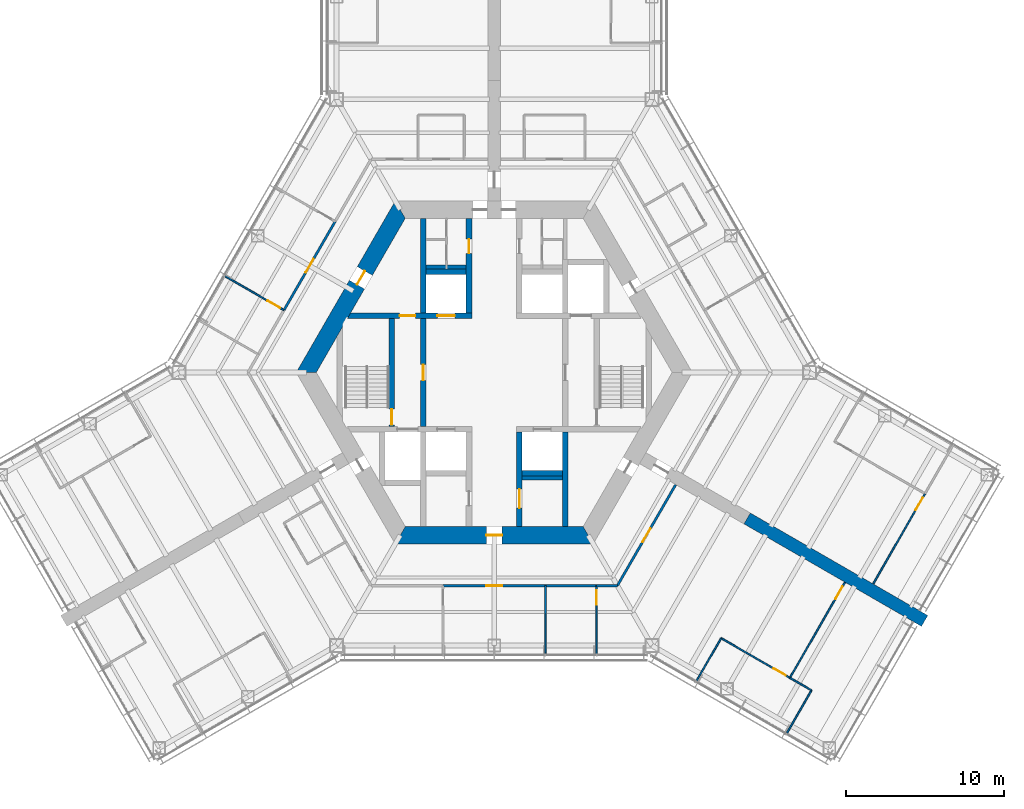
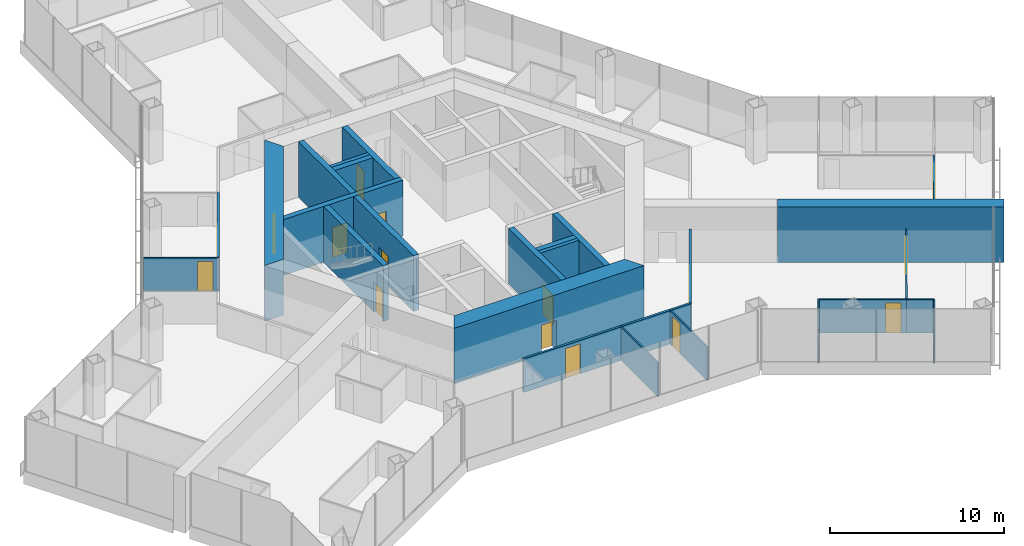
# One storey, part 13 of 18: 28 walls, 16 doors, 16 openings.
"""IFC4 building model written with IfcOpenShell, lengths in metres."""

import ifcopenshell
import ifcopenshell.guid

model = None  # the IFC model being written
_history = None  # IfcOwnerHistory: only IFC2X3 demands one
_inside = {}  # id of a spatial element -> (the spatial element, [elements in it])
_under = {}  # id of a project, library or spatial element -> (it, [spatial elements below it])
_declared = {}  # id of a project -> (the project, [libraries it declares])
_typed = {}  # id of a type object -> (the type object, [elements of that type])
_made_of = {}  # id of a material, layer set ... -> (it, [elements and type objects made of it])


def new_model(schema):
    """Start an empty IFC model of exactly this schema.

    Asked for "IFC4X3", IfcOpenShell would pick the latest addendum, in which some entities
    have other attributes; the version numbers below select the first issue.
    IFC2X3 requires an IfcOwnerHistory on every rooted entity: one is made here for all.
    """
    global model, _history
    if schema == "IFC4X3":
        model = ifcopenshell.file(schema_version=(4, 3, 0, 0))
    else:
        model = ifcopenshell.file(schema=schema)
    _inside.clear()
    _under.clear()
    _declared.clear()
    _typed.clear()
    _made_of.clear()
    _history = None
    if model.schema == "IFC2X3":
        org = make("IfcOrganization", Name="unknown")
        user = make(
            "IfcPersonAndOrganization",
            ThePerson=make("IfcPerson", FamilyName="unknown"),
            TheOrganization=org,
        )
        app = make(
            "IfcApplication",
            ApplicationDeveloper=org,
            Version="unknown",
            ApplicationFullName="unknown",
            ApplicationIdentifier="unknown",
        )
        _history = make(
            "IfcOwnerHistory",
            OwningUser=user,
            OwningApplication=app,
            ChangeAction="ADDED",
            CreationDate=0,
        )
    return model


def make(cls, **values):
    """One entity of the class cls with the attributes given. An attribute that is None is left unset."""
    return model.create_entity(
        cls, **{name: value for name, value in values.items() if value is not None}
    )


def rooted(cls, **values):
    """An entity with a GlobalId (a new one), such as an element, a storey or a relation."""
    return make(cls, GlobalId=ifcopenshell.guid.new(), OwnerHistory=_history, **values)


def si_unit(unit_type, name, prefix=None):
    """IfcSIUnit, for example si_unit("LENGTHUNIT", "METRE", prefix="MILLI")."""
    return make("IfcSIUnit", UnitType=unit_type, Prefix=prefix, Name=name)


def assignment(units):
    """IfcUnitAssignment: the units of a project."""
    return None if units is None else make("IfcUnitAssignment", Units=units)


def point(xyz):
    """IfcCartesianPoint."""
    return None if xyz is None else make("IfcCartesianPoint", Coordinates=xyz)


def direction(xyz):
    """IfcDirection."""
    return None if xyz is None else make("IfcDirection", DirectionRatios=xyz)


def frame(location, z_axis=None, x_axis=None):
    """IfcAxis2Placement3D, a coordinate frame: its origin and axes. An axis left out is left unset."""
    return make(
        "IfcAxis2Placement3D",
        Location=point(location),
        Axis=direction(z_axis),
        RefDirection=direction(x_axis),
    )


def frame_2d(location, x_axis=None):
    """IfcAxis2Placement2D, a coordinate frame in the plane: its origin and x axis."""
    return make(
        "IfcAxis2Placement2D", Location=point(location), RefDirection=direction(x_axis)
    )


def origin():
    """The frame at (0, 0, 0) with its axes left unset."""
    return frame((0.0, 0.0, 0.0))


def place(relative_to, where):
    """IfcLocalPlacement: puts the frame where relative to a parent placement (None: the world)."""
    return make(
        "IfcLocalPlacement", PlacementRelTo=relative_to, RelativePlacement=where
    )


def context(
    kind, dimensions, precision=None, world=None, true_north=None, identifier=None
):
    """IfcGeometricRepresentationContext, for example the 3D "Model" context."""
    return make(
        "IfcGeometricRepresentationContext",
        ContextIdentifier=identifier,
        ContextType=kind,
        CoordinateSpaceDimension=dimensions,
        Precision=precision,
        WorldCoordinateSystem=world,
        TrueNorth=true_north,
    )


def subcontext(parent, identifier, kind, view, scale=None):
    """IfcGeometricRepresentationSubContext, for example "Body" below "Model"."""
    return make(
        "IfcGeometricRepresentationSubContext",
        ContextIdentifier=identifier,
        ContextType=kind,
        ParentContext=parent,
        TargetScale=scale,
        TargetView=view,
    )


def project(units=None, contexts=None):
    """IfcProject with its units and contexts."""
    return rooted(
        "IfcProject",
        Name="project",
        RepresentationContexts=contexts,
        UnitsInContext=assignment(units),
    )


def spatial(cls, under=None, at=None, **own):
    """A site, building, storey or space (cls), placed at a placement, below another one or the project."""
    s = rooted(cls, ObjectPlacement=at, **own)
    if under is not None:
        _under.setdefault(under.id(), (under, []))[1].append(s)
    return s


def polyline(points):
    """IfcPolyline through the points."""
    return make("IfcPolyline", Points=[point(p) for p in points])


def profile(cls, at=None, kind="AREA", **sizes):
    """A parametric profile (cls). Its sizes go by their IFC names, for example OverallWidth=200.0."""
    return make(cls, ProfileType=kind, Position=at, **sizes)


def rectangle(**sizes):
    """IfcRectangleProfileDef."""
    return profile("IfcRectangleProfileDef", **sizes)


def outline(outer, holes=None, kind="AREA"):
    """IfcArbitraryClosedProfileDef: a profile drawn as a closed curve; with holes, ...WithVoids."""
    if holes is None:
        return make("IfcArbitraryClosedProfileDef", ProfileType=kind, OuterCurve=outer)
    return make(
        "IfcArbitraryProfileDefWithVoids",
        ProfileType=kind,
        OuterCurve=outer,
        InnerCurves=holes,
    )


def extrude(swept, where, along, depth):
    """IfcExtrudedAreaSolid: the profile swept, set in the frame where, extruded along a direction by depth."""
    return make(
        "IfcExtrudedAreaSolid",
        SweptArea=swept,
        Position=where,
        ExtrudedDirection=direction(along),
        Depth=depth,
    )


def shape(context_of_items, identifier, shape_type, items):
    """IfcShapeRepresentation: the items that make up one representation, for example the "Body"."""
    return make(
        "IfcShapeRepresentation",
        ContextOfItems=context_of_items,
        RepresentationIdentifier=identifier,
        RepresentationType=shape_type,
        Items=items,
    )


def material(Name=None, Category=None):
    """IfcMaterial."""
    return make("IfcMaterial", Name=Name, Category=Category)


def layer(
    of_material, thickness, ventilated=None, Name=None, Category=None, Priority=None
):
    """IfcMaterialLayer: one layer of a wall or slab, of a material (None: an air gap)."""
    return make(
        "IfcMaterialLayer",
        Material=of_material,
        LayerThickness=thickness,
        IsVentilated=ventilated,
        Name=Name,
        Category=Category,
        Priority=Priority,
    )


def layer_set(layers, Name=None):
    """IfcMaterialLayerSet."""
    return make("IfcMaterialLayerSet", MaterialLayers=layers, LayerSetName=Name)


def made_of(thing, what):
    """Note that an element or type object is made of a material, layer set ...; save() writes the relation."""
    if what is not None:
        _made_of.setdefault(what.id(), (what, []))[1].append(thing)
    return thing


def type_object(cls, material=None, **own):
    """A type object (cls), such as IfcWallType, which elements share."""
    return made_of(rooted(cls, **own), material)


def element(
    cls,
    number,
    at=None,
    inside=None,
    cuts=None,
    type_object=None,
    material=None,
    context=None,
    identifier="Body",
    shape_type=None,
    held_by="IfcProductDefinitionShape",
    body=None,
    shapes=None,
    **own,
):
    """One element of the class cls, such as IfcWall. Its Tag is "e" and its number.

    at: its placement. inside: the storey or other place that contains it. cuts: it is an
    opening in that element (IfcRelVoidsElement). A single representation is given by context,
    identifier, shape_type and body (its items); several are given by shapes. held_by: the class
    of the entity that holds the representations. save() writes the other relations.
    """
    e = rooted(cls, Tag="e%d" % number, ObjectPlacement=at, **own)
    if body is not None:
        shapes = [shape(context, identifier, shape_type, body)]
    if shapes is not None:
        e.Representation = make(held_by, Representations=shapes)
    if inside is not None:
        _inside.setdefault(inside.id(), (inside, []))[1].append(e)
    if cuts is not None:
        rooted(
            "IfcRelVoidsElement", RelatingBuildingElement=cuts, RelatedOpeningElement=e
        )
    if type_object is not None:
        _typed.setdefault(type_object.id(), (type_object, []))[1].append(e)
    return made_of(e, material)


def fill(opening, filler):
    """IfcRelFillsElement: the door or window that sits in an opening."""
    return rooted(
        "IfcRelFillsElement",
        RelatingOpeningElement=opening,
        RelatedBuildingElement=filler,
    )


def aggregate(whole, parts):
    """IfcRelAggregates: a whole, such as a stair, and the parts it consists of."""
    return rooted("IfcRelAggregates", RelatingObject=whole, RelatedObjects=parts)


def save(model, path):
    """Write the relations noted so far, then the file.

    IfcRelAggregates (storeys below a building ...), IfcRelContainedInSpatialStructure (elements
    in a storey), IfcRelDefinesByType, IfcRelAssociatesMaterial and IfcRelDeclares: one each for
    every whole, place, type object, material and project.
    """
    for whole, parts in _under.values():
        aggregate(whole, parts)
    for where, things in _inside.values():
        rooted(
            "IfcRelContainedInSpatialStructure",
            RelatedElements=things,
            RelatingStructure=where,
        )
    for kind, things in _typed.values():
        rooted("IfcRelDefinesByType", RelatedObjects=things, RelatingType=kind)
    for what, things in _made_of.values():
        rooted("IfcRelAssociatesMaterial", RelatedObjects=things, RelatingMaterial=what)
    for by, libraries in _declared.values():
        rooted("IfcRelDeclares", RelatingContext=by, RelatedDefinitions=libraries)
    model.write(path)


model = new_model("IFC4")

# Units and contexts
model_context = context("Model", 3, precision=1e-05, world=origin(), true_north=direction((0.0, 1.0)))
body_context = subcontext(model_context, "Body", "Model", "MODEL_VIEW")
ifc_project = project(units=[si_unit("LENGTHUNIT", "METRE"), si_unit("AREAUNIT", "SQUARE_METRE"), si_unit("VOLUMEUNIT", "CUBIC_METRE"), si_unit("PLANEANGLEUNIT", "RADIAN"), si_unit("MASSUNIT", "GRAM", prefix="KILO")], contexts=[model_context])

# Site, building, storey
site_placement = place(None, origin())
site = spatial("IfcSite", under=ifc_project, at=site_placement, CompositionType="ELEMENT")
building_placement = place(site_placement, origin())
building = spatial("IfcBuilding", under=site, at=building_placement, Name="Kasaneha Research Tower", CompositionType="ELEMENT")
storey_placement = place(building_placement, frame((0.0, 0.0, 119.699951171875)))
storey = spatial("IfcBuildingStorey", under=building, at=storey_placement, Name="L30", CompositionType="ELEMENT", Elevation=119.699951171875)

# Wall, openings, doors
ifc_material_1 = material(Name="Concrete Fc80", Category="concrete")
ifc_layer_1 = layer(ifc_material_1, 0.35009765625)
ifc_layer_set_1 = layer_set([ifc_layer_1], Name="Core internal wall 350 Fc80")
wall_type_1 = type_object("IfcWallType", Name="Core internal wall 350 Fc80", PredefinedType="SHEAR", material=ifc_layer_set_1)
wall_1_placement = place(storey_placement, frame((-9.208740234375, 3.60009765625, 0.0), z_axis=(0.0, 0.0, 1.0), x_axis=(1.0, 0.0, 0.0)))
wall_1 = element("IfcWall", 1, at=wall_1_placement, inside=storey, type_object=wall_type_1, Name="Core wall W1W L30", PredefinedType="SHEAR", context=body_context, shape_type="SweptSolid", body=[
    extrude(outline(polyline([(-0.10107421875, -0.175048828125), (3.208740234375, -0.175048828125), (4.208740234375, -0.175048828125), (5.608642578125, -0.175048828125), (6.708740234375, -0.175048828125), (7.78369140625, -0.175048828125), (7.78369140625, 0.175048828125), (6.708740234375, 0.175048828125), (5.608642578125, 0.175048828125), (4.208740234375, 0.175048828125), (3.208740234375, 0.175048828125), (0.10107421875, 0.175048828125), (-0.10107421875, -0.175048828125)])), origin(), (0.0, 0.0, 1.0), 3.900146484375),
])
opening_1_placement = place(wall_1_placement, frame((3.208740234375, 0.0, 0.0)))
opening_1 = element("IfcOpeningElement", 2, at=opening_1_placement, cuts=wall_1, Name="Opening L30-D12", PredefinedType="OPENING", context=body_context, shape_type="SweptSolid", body=[
    extrude(rectangle(XDim=1.0, YDim=2.10009765625, at=frame_2d((0.5, 1.050048828125))), frame((0.0, 0.18505859375, 0.0), z_axis=(0.0, -1.0, 0.0), x_axis=(1.0, 0.0, 0.0)), (0.0, 0.0, 1.0), 0.3701171875),
])
opening_2_placement = place(wall_1_placement, frame((5.608642578125, 0.0, 0.0)))
opening_2 = element("IfcOpeningElement", 3, at=opening_2_placement, cuts=wall_1, Name="Opening LD-LO1-L30", PredefinedType="OPENING", context=body_context, shape_type="SweptSolid", body=[
    extrude(rectangle(XDim=1.10009765625, YDim=2.10009765625, at=frame_2d((0.550048828125, 1.050048828125))), frame((0.0, 0.18505859375, 0.0), z_axis=(0.0, -1.0, 0.0), x_axis=(1.0, 0.0, 0.0)), (0.0, 0.0, 1.0), 0.3701171875),
])
ifc_material_2 = material(Name="Steel", Category="steel")
door_type_1 = type_object("IfcDoorType", Name="Lift landing door 1100x2100", OperationType="DOUBLE_DOOR_SLIDING", PredefinedType="DOOR", material=ifc_material_2)
door_1_placement = place(opening_2_placement, origin())
door_1 = element("IfcDoor", 4, at=door_1_placement, inside=storey, type_object=door_type_1, Name="Landing door LO1 LD-LO1-L30", OperationType="DOUBLE_DOOR_SLIDING", OverallHeight=2.10009765625, OverallWidth=1.10009765625, PredefinedType="DOOR", context=body_context, shape_type="SweptSolid", body=[
    extrude(rectangle(XDim=1.10009765625, YDim=2.10009765625, at=frame_2d((0.550048828125, 1.050048828125))), frame((0.0, 0.02490234375, 0.0), z_axis=(0.0, -1.0, 0.0), x_axis=(1.0, 0.0, 0.0)), (0.0, 0.0, 1.0), 0.050048828125),
])
fill(opening_2, door_1)
ifc_material_3 = material(Name="Steel", Category="steel")
door_type_2 = type_object("IfcDoorType", Name="Specified fire door FD60 1000x2100", OperationType="NOTDEFINED", PredefinedType="DOOR", material=ifc_material_3)
door_2_placement = place(opening_1_placement, origin())
door_2 = element("IfcDoor", 5, at=door_2_placement, inside=storey, type_object=door_type_2, Name="Vestibule to lobby door L30-D12", OperationType="SINGLE_SWING_RIGHT", OverallHeight=2.10009765625, OverallWidth=1.0, PredefinedType="DOOR", context=body_context, shape_type="SweptSolid", body=[
    extrude(rectangle(XDim=1.0, YDim=2.10009765625, at=frame_2d((0.5, 1.050048828125))), frame((0.0, 0.02490234375, 0.0), z_axis=(0.0, -1.0, 0.0), x_axis=(1.0, 0.0, 0.0)), (0.0, 0.0, 1.0), 0.050048828125),
])
fill(opening_1, door_2)

# Wall, opening, door
wall_2_placement = place(storey_placement, frame((-1.60009765625, 3.77490234375, 0.0), z_axis=(0.0, 0.0, 1.0), x_axis=(0.0, 1.0, 0.0)))
wall_2 = element("IfcWall", 6, at=wall_2_placement, inside=storey, type_object=wall_type_1, Name="Core wall CNW L30", PredefinedType="SHEAR", context=body_context, shape_type="SweptSolid", body=[
    extrude(rectangle(XDim=6.0, YDim=0.35009765625, at=frame_2d((3.0, 0.0))), origin(), (0.0, 0.0, 1.0), 3.900146484375),
])
opening_3_placement = place(wall_2_placement, frame((3.77490234375, 0.0, 0.0)))
opening_3 = element("IfcOpeningElement", 7, at=opening_3_placement, cuts=wall_2, Name="Opening L30-D13", PredefinedType="OPENING", context=body_context, shape_type="SweptSolid", body=[
    extrude(rectangle(XDim=0.89990234375, YDim=2.10009765625, at=frame_2d((0.449951171875, 1.050048828125))), frame((0.0, 0.18505859375, 0.0), z_axis=(0.0, -1.0, 0.0), x_axis=(1.0, 0.0, 0.0)), (0.0, 0.0, 1.0), 0.3701171875),
])
ifc_material_4 = material(Name="Steel", Category="steel")
door_type_3 = type_object("IfcDoorType", Name="Toilet door FD20 900x2100", OperationType="NOTDEFINED", PredefinedType="DOOR", material=ifc_material_4)
door_3_placement = place(opening_3_placement, origin())
door_3 = element("IfcDoor", 8, at=door_3_placement, inside=storey, type_object=door_type_3, Name="Men's WC door L30-D13", OperationType="SINGLE_SWING_LEFT", OverallHeight=2.10009765625, OverallWidth=0.89990234375, PredefinedType="DOOR", context=body_context, shape_type="SweptSolid", body=[
    extrude(rectangle(XDim=0.89990234375, YDim=2.10009765625, at=frame_2d((0.449951171875, 1.050048828125))), frame((0.0, 0.02490234375, 0.0), z_axis=(0.0, -1.0, 0.0), x_axis=(1.0, 0.0, 0.0)), (0.0, 0.0, 1.0), 0.050048828125),
])
fill(opening_3, door_3)

wall_3_placement = place(storey_placement, frame((1.60009765625, -3.77490234375, 0.0), z_axis=(0.0, 0.0, 1.0), x_axis=(0.0, -1.0, 0.0)))
wall_3 = element("IfcWall", 9, at=wall_3_placement, inside=storey, type_object=wall_type_1, Name="Core wall CSE L30", PredefinedType="SHEAR", context=body_context, shape_type="SweptSolid", body=[
    extrude(rectangle(XDim=6.0, YDim=0.35009765625, at=frame_2d((3.0, 0.0))), origin(), (0.0, 0.0, 1.0), 3.900146484375),
])
opening_4_placement = place(wall_3_placement, frame((3.625, 0.0, 0.0)))
opening_4 = element("IfcOpeningElement", 10, at=opening_4_placement, cuts=wall_3, Name="Opening L30-D15", PredefinedType="OPENING", context=body_context, shape_type="SweptSolid", body=[
    extrude(rectangle(XDim=1.199951171875, YDim=2.10009765625, at=frame_2d((0.60009765625, 1.050048828125))), frame((0.0, 0.18505859375, 0.0), z_axis=(0.0, -1.0, 0.0), x_axis=(1.0, 0.0, 0.0)), (0.0, 0.0, 1.0), 0.3701171875),
])
ifc_material_5 = material(Name="Steel", Category="steel")
door_type_4 = type_object("IfcDoorType", Name="Accessible toilet sliding door FD20 1200x2100", OperationType="SLIDING_TO_LEFT", PredefinedType="DOOR", material=ifc_material_5)
door_4_placement = place(opening_4_placement, origin())
door_4 = element("IfcDoor", 11, at=door_4_placement, inside=storey, type_object=door_type_4, Name="Accessible WC door L30-D15", OperationType="SLIDING_TO_LEFT", OverallHeight=2.10009765625, OverallWidth=1.199951171875, PredefinedType="DOOR", context=body_context, shape_type="SweptSolid", body=[
    extrude(rectangle(XDim=1.199951171875, YDim=2.10009765625, at=frame_2d((0.60009765625, 1.050048828125))), frame((0.0, 0.02490234375, 0.0), z_axis=(0.0, -1.0, 0.0), x_axis=(1.0, 0.0, 0.0)), (0.0, 0.0, 1.0), 0.050048828125),
])
fill(opening_4, door_4)

wall_4_placement = place(storey_placement, frame((-4.5, -3.425048828125, 0.0), z_axis=(0.0, 0.0, 1.0), x_axis=(0.0, 1.0, 0.0)))
wall_4 = element("IfcWall", 12, at=wall_4_placement, inside=storey, type_object=wall_type_1, Name="Core wall LBW L30", PredefinedType="SHEAR", context=body_context, shape_type="SweptSolid", body=[
    extrude(rectangle(XDim=6.85009765625, YDim=0.35009765625, at=frame_2d((3.425048828125, 0.0))), origin(), (0.0, 0.0, 1.0), 3.900146484375),
])
opening_5_placement = place(wall_4_placement, frame((2.925048828125, 0.0, 0.0)))
opening_5 = element("IfcOpeningElement", 13, at=opening_5_placement, cuts=wall_4, Name="Opening L30-D09", PredefinedType="OPENING", context=body_context, shape_type="SweptSolid", body=[
    extrude(rectangle(XDim=1.0, YDim=2.10009765625, at=frame_2d((0.5, 1.050048828125))), frame((0.0, 0.18505859375, 0.0), z_axis=(0.0, -1.0, 0.0), x_axis=(1.0, 0.0, 0.0)), (0.0, 0.0, 1.0), 0.3701171875),
])
door_5_placement = place(opening_5_placement, origin())
door_5 = element("IfcDoor", 14, at=door_5_placement, inside=storey, type_object=door_type_2, Name="Lift lobby door west L30-D09", OperationType="SINGLE_SWING_LEFT", OverallHeight=2.10009765625, OverallWidth=1.0, PredefinedType="DOOR", context=body_context, shape_type="SweptSolid", body=[
    extrude(rectangle(XDim=1.0, YDim=2.10009765625, at=frame_2d((0.5, 1.050048828125))), frame((0.0, 0.02490234375, 0.0), z_axis=(0.0, -1.0, 0.0), x_axis=(1.0, 0.0, 0.0)), (0.0, 0.0, 1.0), 0.050048828125),
])
fill(opening_5, door_5)

wall_5_placement = place(storey_placement, frame((-6.5, -3.425048828125, 0.0), z_axis=(0.0, 0.0, 1.0), x_axis=(0.0, 1.0, 0.0)))
wall_5 = element("IfcWall", 15, at=wall_5_placement, inside=storey, type_object=wall_type_1, Name="Core wall ANW L30", PredefinedType="SHEAR", context=body_context, shape_type="SweptSolid", body=[
    extrude(rectangle(XDim=6.85009765625, YDim=0.35009765625, at=frame_2d((3.425048828125, 0.0))), origin(), (0.0, 0.0, 1.0), 3.900146484375),
])
opening_6_placement = place(wall_5_placement, frame((0.10009765625, 0.0, 0.0)))
opening_6 = element("IfcOpeningElement", 16, at=opening_6_placement, cuts=wall_5, Name="Opening L30-D11", PredefinedType="OPENING", context=body_context, shape_type="SweptSolid", body=[
    extrude(rectangle(XDim=1.0, YDim=2.10009765625, at=frame_2d((0.5, 1.050048828125))), frame((0.0, 0.18505859375, 0.0), z_axis=(0.0, -1.0, 0.0), x_axis=(1.0, 0.0, 0.0)), (0.0, 0.0, 1.0), 0.3701171875),
])
door_6_placement = place(opening_6_placement, origin())
door_6 = element("IfcDoor", 17, at=door_6_placement, inside=storey, type_object=door_type_2, Name="Stair 2 door L30-D11", OperationType="SINGLE_SWING_LEFT", OverallHeight=2.10009765625, OverallWidth=1.0, PredefinedType="DOOR", context=body_context, shape_type="SweptSolid", body=[
    extrude(rectangle(XDim=1.0, YDim=2.10009765625, at=frame_2d((0.5, 1.050048828125))), frame((0.0, 0.02490234375, 0.0), z_axis=(0.0, -1.0, 0.0), x_axis=(1.0, 0.0, 0.0)), (0.0, 0.0, 1.0), 0.050048828125),
])
fill(opening_6, door_6)

# Walls
for number, where, z_axis, x_axis, name in (
    (18, (-4.5, 3.77490234375, 0.0), (0.0, 0.0, 1.0), (0.0, 1.0, 0.0), "Core wall VNW L30"),
    (19, (4.5, -3.77490234375, 0.0), (0.0, 0.0, 1.0), (0.0, -1.0, 0.0), "Core wall SSE L30"),
):
    element("IfcWall", number, at=place(storey_placement, frame(where, z_axis=z_axis, x_axis=x_axis)), inside=storey, type_object=wall_type_1, Name=name, PredefinedType="SHEAR", context=body_context, shape_type="SweptSolid", body=[
        extrude(rectangle(XDim=6.0, YDim=0.35009765625, at=frame_2d((3.0, 0.0))), origin(), (0.0, 0.0, 1.0), 3.900146484375),
    ])
for number, where, z_axis, x_axis, name in (
    (20, (-4.324951171875, 6.39990234375, 0.0), (0.0, 0.0, 1.0), (1.0, 0.0, 0.0), "Core wall N1N L30"),
    (21, (1.77490234375, -6.39990234375, 0.0), (0.0, 0.0, 1.0), (1.0, 0.0, 0.0), "Core wall S3S L30"),
):
    element("IfcWall", number, at=place(storey_placement, frame(where, z_axis=z_axis, x_axis=x_axis)), inside=storey, type_object=wall_type_1, Name=name, PredefinedType="SHEAR", context=body_context, shape_type="SweptSolid", body=[
        extrude(rectangle(XDim=2.550048828125, YDim=0.35009765625, at=frame_2d((1.27490234375, 0.0))), origin(), (0.0, 0.0, 1.0), 3.900146484375),
    ])

# Wall, opening, door
ifc_material_6 = material(Name="Concrete Fc80", Category="concrete")
ifc_layer_2 = layer(ifc_material_6, 1.10009765625)
ifc_layer_set_2 = layer_set([ifc_layer_2], Name="Core wall 1100 Fc80")
wall_type_2 = type_object("IfcWallType", Name="Core wall 1100 Fc80", PredefinedType="SHEAR", material=ifc_layer_set_2)
wall_6_placement = place(storey_placement, frame((-5.961181640625, 10.324951171875, 0.0), z_axis=(0.0, 0.0, 1.0), x_axis=(-0.500004296715, -0.866022923061, 0.0)))
wall_6 = element("IfcWall", 22, at=wall_6_placement, inside=storey, type_object=wall_type_2, Name="Core wall 150 L30", PredefinedType="SHEAR", context=body_context, shape_type="SweptSolid", body=[
    extrude(outline(polyline([(-0.317626953125, -0.550048828125), (4.494140625, -0.550048828125), (5.494140625, -0.550048828125), (12.239990234375, -0.550048828125), (11.604736328125, 0.550048828125), (5.494140625, 0.550048828125), (4.494140625, 0.550048828125), (0.317626953125, 0.550048828125), (-0.317626953125, -0.550048828125)])), origin(), (0.0, 0.0, 1.0), 3.900146484375),
])
opening_7_placement = place(wall_6_placement, frame((4.494140625, 0.0, 0.0)))
opening_7 = element("IfcOpeningElement", 23, at=opening_7_placement, cuts=wall_6, Name="Opening L30-D07", PredefinedType="OPENING", context=body_context, shape_type="SweptSolid", body=[
    extrude(rectangle(XDim=1.0, YDim=2.10009765625, at=frame_2d((0.5, 1.050048828125))), frame((0.0, 0.56005859375, 0.0), z_axis=(0.0, -1.0, 0.0), x_axis=(1.0, 0.0, 0.0)), (0.0, 0.0, 1.0), 1.1201171875),
])
ifc_material_7 = material(Name="Steel", Category="steel")
door_type_5 = type_object("IfcDoorType", Name="Fire door FD20 1000x2100", OperationType="NOTDEFINED", PredefinedType="DOOR", material=ifc_material_7)
door_7_placement = place(opening_7_placement, origin())
door_7 = element("IfcDoor", 24, at=door_7_placement, inside=storey, type_object=door_type_5, Name="Vestibule door L30-D07", OperationType="SINGLE_SWING_LEFT", OverallHeight=2.10009765625, OverallWidth=1.0, PredefinedType="DOOR", context=body_context, shape_type="SweptSolid", body=[
    extrude(rectangle(XDim=1.0, YDim=2.10009765625, at=frame_2d((0.5, 1.050048828125))), frame((0.0, 0.02490234375, 0.0), z_axis=(0.0, -1.0, 0.0), x_axis=(1.0, 0.0, 0.0)), (0.0, 0.0, 1.0), 0.050048828125),
])
fill(opening_7, door_7)

wall_7_placement = place(storey_placement, frame((-5.961181640625, -10.324951171875, 0.0), z_axis=(0.0, 0.0, 1.0), x_axis=(1.0, 0.0, 0.0)))
wall_7 = element("IfcWall", 25, at=wall_7_placement, inside=storey, type_object=wall_type_2, Name="Core wall 270 L30", PredefinedType="SHEAR", context=body_context, shape_type="SweptSolid", body=[
    extrude(outline(polyline([(-0.317626953125, -0.550048828125), (5.461181640625, -0.550048828125), (6.461181640625, -0.550048828125), (12.239990234375, -0.550048828125), (11.604736328125, 0.550048828125), (6.461181640625, 0.550048828125), (5.461181640625, 0.550048828125), (0.317626953125, 0.550048828125), (-0.317626953125, -0.550048828125)])), origin(), (0.0, 0.0, 1.0), 3.900146484375),
])
opening_8_placement = place(wall_7_placement, frame((5.461181640625, 0.0, 0.0)))
opening_8 = element("IfcOpeningElement", 26, at=opening_8_placement, cuts=wall_7, Name="Opening L30-D03", PredefinedType="OPENING", context=body_context, shape_type="SweptSolid", body=[
    extrude(rectangle(XDim=1.0, YDim=2.10009765625, at=frame_2d((0.5, 1.050048828125))), frame((0.0, 0.56005859375, 0.0), z_axis=(0.0, -1.0, 0.0), x_axis=(1.0, 0.0, 0.0)), (0.0, 0.0, 1.0), 1.1201171875),
])
door_8_placement = place(opening_8_placement, origin())
door_8 = element("IfcDoor", 27, at=door_8_placement, inside=storey, type_object=door_type_5, Name="Core door south L30-D03", OperationType="SINGLE_SWING_LEFT", OverallHeight=2.10009765625, OverallWidth=1.0, PredefinedType="DOOR", context=body_context, shape_type="SweptSolid", body=[
    extrude(rectangle(XDim=1.0, YDim=2.10009765625, at=frame_2d((0.5, 1.050048828125))), frame((0.0, 0.02490234375, 0.0), z_axis=(0.0, -1.0, 0.0), x_axis=(1.0, 0.0, 0.0)), (0.0, 0.0, 1.0), 0.050048828125),
])
fill(opening_8, door_8)

ifc_material_8 = material(Name="Gypsum board on steel studs, one layer each side", Category="steel")
ifc_layer_3 = layer(ifc_material_8, 0.10009765625)
ifc_layer_set_3 = layer_set([ifc_layer_3], Name="Office partition 100")
wall_type_3 = type_object("IfcWallType", Name="Office partition 100", PredefinedType="PARTITIONING", material=ifc_layer_set_3)
wall_8_placement = place(storey_placement, frame((-17.05615234375, 6.098876953125, 0.0), z_axis=(0.0, 0.0, 1.0), x_axis=(0.865505397626, -0.500899597405, 0.0)))
wall_8 = element("IfcWall", 28, at=wall_8_placement, inside=storey, type_object=wall_type_3, Name="Office partition FBN11 L30", PredefinedType="PARTITIONING", context=body_context, shape_type="SweptSolid", body=[
    extrude(rectangle(XDim=4.29541015625, YDim=0.10009765625, at=frame_2d((2.147705078125, 0.0))), origin(), (0.0, 0.0, 1.0), 2.35009765625),
])
opening_9_placement = place(wall_8_placement, frame((3.095458984375, 0.0, 0.0)))
opening_9 = element("IfcOpeningElement", 29, at=opening_9_placement, cuts=wall_8, Name="Opening L30-D38", PredefinedType="OPENING", context=body_context, shape_type="SweptSolid", body=[
    extrude(rectangle(XDim=0.89990234375, YDim=2.10009765625, at=frame_2d((0.449951171875, 1.050048828125))), frame((0.0, 0.06005859375, 0.0), z_axis=(0.0, -1.0, 0.0), x_axis=(1.0, 0.0, 0.0)), (0.0, 0.0, 1.0), 0.1201171875),
])
ifc_material_9 = material(Name="Timber veneer", Category="wood")
door_type_6 = type_object("IfcDoorType", Name="Office door 900x2100", OperationType="SINGLE_SWING_LEFT", PredefinedType="DOOR", material=ifc_material_9)
door_9_placement = place(opening_9_placement, origin())
door_9 = element("IfcDoor", 30, at=door_9_placement, inside=storey, type_object=door_type_6, Name="Manager's office door L30-D38", OperationType="SINGLE_SWING_RIGHT", OverallHeight=2.10009765625, OverallWidth=0.89990234375, PredefinedType="DOOR", context=body_context, shape_type="SweptSolid", body=[
    extrude(rectangle(XDim=0.89990234375, YDim=2.10009765625, at=frame_2d((0.449951171875, 1.050048828125))), frame((0.0, 0.02490234375, 0.0), z_axis=(0.0, -1.0, 0.0), x_axis=(1.0, 0.0, 0.0)), (0.0, 0.0, 1.0), 0.050048828125),
])
fill(opening_9, door_9)

wall_9_placement = place(storey_placement, frame((24.04345703125, -13.396484375, 0.0), z_axis=(0.0, 0.0, 1.0), x_axis=(0.498632747728, 0.866813349512, 0.0)))
wall_9 = element("IfcWall", 31, at=wall_9_placement, inside=storey, type_object=wall_type_3, Name="Office partition FCE05 L30", PredefinedType="PARTITIONING", context=body_context, shape_type="SweptSolid", body=[
    extrude(rectangle(XDim=6.583984375, YDim=0.10009765625, at=frame_2d((3.2919921875, 0.0))), origin(), (0.0, 0.0, 1.0), 2.35009765625),
])
opening_10_placement = place(wall_9_placement, frame((5.3837890625, 0.0, 0.0)))
opening_10 = element("IfcOpeningElement", 32, at=opening_10_placement, cuts=wall_9, Name="Opening L30-D46", PredefinedType="OPENING", context=body_context, shape_type="SweptSolid", body=[
    extrude(rectangle(XDim=0.89990234375, YDim=2.10009765625, at=frame_2d((0.449951171875, 1.050048828125))), frame((0.0, 0.06005859375, 0.0), z_axis=(0.0, -1.0, 0.0), x_axis=(1.0, 0.0, 0.0)), (0.0, 0.0, 1.0), 0.1201171875),
])
door_10_placement = place(opening_10_placement, origin())
door_10 = element("IfcDoor", 33, at=door_10_placement, inside=storey, type_object=door_type_6, Name="Manager's office door L30-D46", OperationType="SINGLE_SWING_RIGHT", OverallHeight=2.10009765625, OverallWidth=0.89990234375, PredefinedType="DOOR", context=body_context, shape_type="SweptSolid", body=[
    extrude(rectangle(XDim=0.89990234375, YDim=2.10009765625, at=frame_2d((0.449951171875, 1.050048828125))), frame((0.0, 0.02490234375, 0.0), z_axis=(0.0, -1.0, 0.0), x_axis=(1.0, 0.0, 0.0)), (0.0, 0.0, 1.0), 0.050048828125),
])
fill(opening_10, door_10)

# Walls
wall_10_placement = place(storey_placement, frame((18.5751953125, -22.848876953125, 0.0), z_axis=(0.0, 0.0, 1.0), x_axis=(0.499899694197, 0.866083307622, 0.0)))
element("IfcWall", 34, at=wall_10_placement, inside=storey, type_object=wall_type_3, Name="Office partition FCS06 L30", PredefinedType="PARTITIONING", context=body_context, shape_type="SweptSolid", body=[
    extrude(rectangle(XDim=3.100341796875, YDim=0.10009765625, at=frame_2d((1.55029296875, 0.0))), origin(), (0.0, 0.0, 1.0), 2.35009765625),
])
wall_11_placement = place(storey_placement, frame((20.125, -20.163818359375, 0.0), z_axis=(0.0, 0.0, 1.0), x_axis=(-0.864479275947, 0.502668460775, 0.0)))
element("IfcWall", 35, at=wall_11_placement, inside=storey, type_object=wall_type_3, Name="Office partition FCS07 L30", PredefinedType="PARTITIONING", context=body_context, shape_type="SweptSolid", body=[
    extrude(rectangle(XDim=1.591064453125, YDim=0.10009765625, at=frame_2d((0.79541015625, 0.0))), origin(), (0.0, 0.0, 1.0), 2.35009765625),
])

# Wall, opening, door
wall_12_placement = place(storey_placement, frame((18.75146484375, -19.37060546875, 0.0), z_axis=(0.0, 0.0, 1.0), x_axis=(0.499495327337, 0.866316580684, 0.0)))
wall_12 = element("IfcWall", 36, at=wall_12_placement, inside=storey, type_object=wall_type_3, Name="Office partition FCS08 L30", PredefinedType="PARTITIONING", context=body_context, shape_type="SweptSolid", body=[
    extrude(rectangle(XDim=6.979736328125, YDim=0.10009765625, at=frame_2d((3.48974609375, 0.0))), origin(), (0.0, 0.0, 1.0), 2.35009765625),
])
opening_11_placement = place(wall_12_placement, frame((5.779541015625, 0.0, 0.0)))
opening_11 = element("IfcOpeningElement", 37, at=opening_11_placement, cuts=wall_12, Name="Opening L30-D49", PredefinedType="OPENING", context=body_context, shape_type="SweptSolid", body=[
    extrude(rectangle(XDim=0.89990234375, YDim=2.10009765625, at=frame_2d((0.449951171875, 1.050048828125))), frame((0.0, 0.06005859375, 0.0), z_axis=(0.0, -1.0, 0.0), x_axis=(1.0, 0.0, 0.0)), (0.0, 0.0, 1.0), 0.1201171875),
])
door_11_placement = place(opening_11_placement, origin())
door_11 = element("IfcDoor", 38, at=door_11_placement, inside=storey, type_object=door_type_6, Name="Meeting room door L30-D49", OperationType="SINGLE_SWING_RIGHT", OverallHeight=2.10009765625, OverallWidth=0.89990234375, PredefinedType="DOOR", context=body_context, shape_type="SweptSolid", body=[
    extrude(rectangle(XDim=0.89990234375, YDim=2.10009765625, at=frame_2d((0.449951171875, 1.050048828125))), frame((0.0, 0.02490234375, 0.0), z_axis=(0.0, -1.0, 0.0), x_axis=(1.0, 0.0, 0.0)), (0.0, 0.0, 1.0), 0.050048828125),
])
fill(opening_11, door_11)

wall_13_placement = place(storey_placement, frame((6.48828125, -13.52490234375, 0.0), z_axis=(0.0, 0.0, 1.0), x_axis=(0.00107362768, -0.999999423662, 0.0)))
wall_13 = element("IfcWall", 39, at=wall_13_placement, inside=storey, type_object=wall_type_3, Name="Office partition FCS09 L30", PredefinedType="PARTITIONING", context=body_context, shape_type="SweptSolid", body=[
    extrude(rectangle(XDim=4.320556640625, YDim=0.10009765625, at=frame_2d((2.16015625, 0.0))), origin(), (0.0, 0.0, 1.0), 2.35009765625),
])
opening_12_placement = place(wall_13_placement, frame((0.300048828125, 0.0, 0.0)))
opening_12 = element("IfcOpeningElement", 40, at=opening_12_placement, cuts=wall_13, Name="Opening L30-D50", PredefinedType="OPENING", context=body_context, shape_type="SweptSolid", body=[
    extrude(rectangle(XDim=0.89990234375, YDim=2.10009765625, at=frame_2d((0.449951171875, 1.050048828125))), frame((0.0, 0.06005859375, 0.0), z_axis=(0.0, -1.0, 0.0), x_axis=(1.0, 0.0, 0.0)), (0.0, 0.0, 1.0), 0.1201171875),
])
door_12_placement = place(opening_12_placement, origin())
door_12 = element("IfcDoor", 41, at=door_12_placement, inside=storey, type_object=door_type_6, Name="Interview room door L30-D50", OperationType="SINGLE_SWING_LEFT", OverallHeight=2.10009765625, OverallWidth=0.89990234375, PredefinedType="DOOR", context=body_context, shape_type="SweptSolid", body=[
    extrude(rectangle(XDim=0.89990234375, YDim=2.10009765625, at=frame_2d((0.449951171875, 1.050048828125))), frame((0.0, 0.02490234375, 0.0), z_axis=(0.0, -1.0, 0.0), x_axis=(1.0, 0.0, 0.0)), (0.0, 0.0, 1.0), 0.050048828125),
])
fill(opening_12, door_12)

# Walls
wall_14_placement = place(storey_placement, frame((3.246337890625, -17.800537109375, 0.0), z_axis=(0.0, 0.0, 1.0), x_axis=(0.001084907715, 0.999999411487, 0.0)))
element("IfcWall", 42, at=wall_14_placement, inside=storey, type_object=wall_type_3, Name="Office partition FCS10 L30", PredefinedType="PARTITIONING", context=body_context, shape_type="SweptSolid", body=[
    extrude(rectangle(XDim=4.275634765625, YDim=0.10009765625, at=frame_2d((2.1376953125, 0.0))), origin(), (0.0, 0.0, 1.0), 2.35009765625),
])
wall_15_placement = place(storey_placement, frame((12.84228515625, -19.538818359375, 0.0), z_axis=(0.0, 0.0, 1.0), x_axis=(0.499933790963, 0.866063626216, 0.0)))
element("IfcWall", 43, at=wall_15_placement, inside=storey, type_object=wall_type_3, Name="Office partition FCS12 L30", PredefinedType="PARTITIONING", context=body_context, shape_type="SweptSolid", body=[
    extrude(rectangle(XDim=3.10009765625, YDim=0.10009765625, at=frame_2d((1.550048828125, 0.0))), origin(), (0.0, 0.0, 1.0), 2.35009765625),
])

# Wall, opening, door
wall_16_placement = place(storey_placement, frame((14.39208984375, -16.85400390625, 0.0), z_axis=(0.0, 0.0, 1.0), x_axis=(0.86601677289, -0.50001494885, 0.0)))
wall_16 = element("IfcWall", 44, at=wall_16_placement, inside=storey, type_object=wall_type_3, Name="Office partition FCS13 L30", PredefinedType="PARTITIONING", context=body_context, shape_type="SweptSolid", body=[
    extrude(rectangle(XDim=5.033447265625, YDim=0.10009765625, at=frame_2d((2.5166015625, 0.0))), origin(), (0.0, 0.0, 1.0), 2.35009765625),
])
opening_13_placement = place(wall_16_placement, frame((3.83349609375, 0.0, 0.0)))
opening_13 = element("IfcOpeningElement", 45, at=opening_13_placement, cuts=wall_16, Name="Opening L30-D52", PredefinedType="OPENING", context=body_context, shape_type="SweptSolid", body=[
    extrude(rectangle(XDim=0.89990234375, YDim=2.10009765625, at=frame_2d((0.449951171875, 1.050048828125))), frame((0.0, 0.06005859375, 0.0), z_axis=(0.0, -1.0, 0.0), x_axis=(1.0, 0.0, 0.0)), (0.0, 0.0, 1.0), 0.1201171875),
])
door_13_placement = place(opening_13_placement, origin())
door_13 = element("IfcDoor", 46, at=door_13_placement, inside=storey, type_object=door_type_6, Name="Manager's office door L30-D52", OperationType="SINGLE_SWING_RIGHT", OverallHeight=2.10009765625, OverallWidth=0.89990234375, PredefinedType="DOOR", context=body_context, shape_type="SweptSolid", body=[
    extrude(rectangle(XDim=0.89990234375, YDim=2.10009765625, at=frame_2d((0.449951171875, 1.050048828125))), frame((0.0, 0.02490234375, 0.0), z_axis=(0.0, -1.0, 0.0), x_axis=(1.0, 0.0, 0.0)), (0.0, 0.0, 1.0), 0.050048828125),
])
fill(opening_13, door_13)

# Wall
ifc_material_10 = material(Name="Concrete Fc80", Category="concrete")
ifc_layer_4 = layer(ifc_material_10, 0.800048828125)
ifc_layer_set_4 = layer_set([ifc_layer_4], Name="Spine wall 800 Fc80")
wall_type_4 = type_object("IfcWallType", Name="Spine wall 800 Fc80", PredefinedType="SHEAR", material=ifc_layer_set_4)
wall_17_placement = place(storey_placement, frame((16.039306640625, -9.26025390625, 0.0), z_axis=(0.0, 0.0, 1.0), x_axis=(0.866024837091, -0.50000098154, 0.0)))
element("IfcWall", 47, at=wall_17_placement, inside=storey, type_object=wall_type_4, Name="Spine wall C wing L30", PredefinedType="SHEAR", context=body_context, shape_type="SweptSolid", body=[
    extrude(rectangle(XDim=13.0, YDim=0.800048828125, at=frame_2d((6.5, 0.0))), origin(), (0.0, 0.0, 1.0), 3.900146484375),
])

# Wall, opening, door
ifc_material_11 = material(Name="Gypsum board on steel studs, two layers each side", Category="steel")
ifc_layer_5 = layer(ifc_material_11, 0.14990234375)
ifc_layer_set_5 = layer_set([ifc_layer_5], Name="Suite partition 150")
wall_type_5 = type_object("IfcWallType", Name="Suite partition 150", PredefinedType="PARTITIONING", material=ifc_layer_set_5)
wall_18_placement = place(storey_placement, frame((-13.33837890625, 3.947265625, 0.0), z_axis=(0.0, 0.0, 1.0), x_axis=(0.49998791073, 0.866032383415, 0.0)))
wall_18 = element("IfcWall", 48, at=wall_18_placement, inside=storey, type_object=wall_type_5, Name="Suite partition FBN05 L30", PredefinedType="PARTITIONING", context=body_context, shape_type="SweptSolid", body=[
    extrude(rectangle(XDim=6.501708984375, YDim=0.14990234375, at=frame_2d((3.2509765625, 0.0))), origin(), (0.0, 0.0, 1.0), 2.35009765625),
])
opening_14_placement = place(wall_18_placement, frame((2.750732421875, 0.0, 0.0)))
opening_14 = element("IfcOpeningElement", 49, at=opening_14_placement, cuts=wall_18, Name="Opening L30-D35", PredefinedType="OPENING", context=body_context, shape_type="SweptSolid", body=[
    extrude(rectangle(XDim=1.0, YDim=2.10009765625, at=frame_2d((0.5, 1.050048828125))), frame((0.0, 0.0849609375, 0.0), z_axis=(0.0, -1.0, 0.0), x_axis=(1.0, 0.0, 0.0)), (0.0, 0.0, 1.0), 0.169921875),
])
ifc_material_12 = material(Name="Steel", Category="steel")
door_type_7 = type_object("IfcDoorType", Name="Suite entrance door FD60 1000x2100", OperationType="NOTDEFINED", PredefinedType="DOOR", material=ifc_material_12)
door_14_placement = place(opening_14_placement, origin())
door_14 = element("IfcDoor", 50, at=door_14_placement, inside=storey, type_object=door_type_7, Name="Suite entrance door L30-D35", OperationType="SINGLE_SWING_RIGHT", OverallHeight=2.10009765625, OverallWidth=1.0, PredefinedType="DOOR", context=body_context, shape_type="SweptSolid", body=[
    extrude(rectangle(XDim=1.0, YDim=2.10009765625, at=frame_2d((0.5, 1.050048828125))), frame((0.0, 0.02490234375, 0.0), z_axis=(0.0, -1.0, 0.0), x_axis=(1.0, 0.0, 0.0)), (0.0, 0.0, 1.0), 0.050048828125),
])
fill(opening_14, door_14)

# Walls
wall_19_placement = place(storey_placement, frame((6.497802734375, -13.52490234375, 0.0), z_axis=(0.0, 0.0, 1.0), x_axis=(-1.0, 0.0, 0.0)))
element("IfcWall", 51, at=wall_19_placement, inside=storey, type_object=wall_type_5, Name="Suite partition FCS01 L30", PredefinedType="PARTITIONING", context=body_context, shape_type="SweptSolid", body=[
    extrude(rectangle(XDim=3.25634765625, YDim=0.14990234375, at=frame_2d((1.628173828125, 0.0))), origin(), (0.0, 0.0, 1.0), 2.35009765625),
])
wall_20_placement = place(storey_placement, frame((7.80859375, -13.52490234375, 0.0), z_axis=(0.0, 0.0, 1.0), x_axis=(-1.0, 0.0, 0.0)))
element("IfcWall", 52, at=wall_20_placement, inside=storey, type_object=wall_type_5, Name="Suite partition FCS03 L30", PredefinedType="PARTITIONING", context=body_context, shape_type="SweptSolid", body=[
    extrude(rectangle(XDim=1.3203125, YDim=0.14990234375, at=frame_2d((0.66015625, 0.0))), origin(), (0.0, 0.0, 1.0), 2.35009765625),
])

# Wall, opening, door
wall_21_placement = place(storey_placement, frame((11.5029296875, -7.126220703125, 0.0), z_axis=(0.0, 0.0, 1.0), x_axis=(-0.500005620463, -0.866022158784, 0.0)))
wall_21 = element("IfcWall", 53, at=wall_21_placement, inside=storey, type_object=wall_type_5, Name="Suite partition FCS04 L30", PredefinedType="PARTITIONING", context=body_context, shape_type="SweptSolid", body=[
    extrude(rectangle(XDim=7.388671875, YDim=0.14990234375, at=frame_2d((3.6943359375, 0.0))), origin(), (0.0, 0.0, 1.0), 2.35009765625),
])
opening_15_placement = place(wall_21_placement, frame((3.1943359375, 0.0, 0.0)))
opening_15 = element("IfcOpeningElement", 54, at=opening_15_placement, cuts=wall_21, Name="Opening L30-D47", PredefinedType="OPENING", context=body_context, shape_type="SweptSolid", body=[
    extrude(rectangle(XDim=1.0, YDim=2.10009765625, at=frame_2d((0.5, 1.050048828125))), frame((0.0, 0.0849609375, 0.0), z_axis=(0.0, -1.0, 0.0), x_axis=(1.0, 0.0, 0.0)), (0.0, 0.0, 1.0), 0.169921875),
])
door_15_placement = place(opening_15_placement, origin())
door_15 = element("IfcDoor", 55, at=door_15_placement, inside=storey, type_object=door_type_7, Name="Suite entrance door L30-D47", OperationType="SINGLE_SWING_LEFT", OverallHeight=2.10009765625, OverallWidth=1.0, PredefinedType="DOOR", context=body_context, shape_type="SweptSolid", body=[
    extrude(rectangle(XDim=1.0, YDim=2.10009765625, at=frame_2d((0.5, 1.050048828125))), frame((0.0, 0.02490234375, 0.0), z_axis=(0.0, -1.0, 0.0), x_axis=(1.0, 0.0, 0.0)), (0.0, 0.0, 1.0), 0.050048828125),
])
fill(opening_15, door_15)

wall_22_placement = place(storey_placement, frame((3.2509765625, -13.52490234375, 0.0), z_axis=(0.0, 0.0, 1.0), x_axis=(-1.0, 0.0, 0.0)))
wall_22 = element("IfcWall", 56, at=wall_22_placement, inside=storey, type_object=wall_type_5, Name="Suite partition FCS05 L30", PredefinedType="PARTITIONING", context=body_context, shape_type="SweptSolid", body=[
    extrude(rectangle(XDim=6.501953125, YDim=0.14990234375, at=frame_2d((3.2509765625, 0.0))), origin(), (0.0, 0.0, 1.0), 2.35009765625),
])
opening_16_placement = place(wall_22_placement, frame((2.7509765625, 0.0, 0.0)))
opening_16 = element("IfcOpeningElement", 57, at=opening_16_placement, cuts=wall_22, Name="Opening L30-D48", PredefinedType="OPENING", context=body_context, shape_type="SweptSolid", body=[
    extrude(rectangle(XDim=1.0, YDim=2.10009765625, at=frame_2d((0.5, 1.050048828125))), frame((0.0, 0.0849609375, 0.0), z_axis=(0.0, -1.0, 0.0), x_axis=(1.0, 0.0, 0.0)), (0.0, 0.0, 1.0), 0.169921875),
])
door_16_placement = place(opening_16_placement, origin())
door_16 = element("IfcDoor", 58, at=door_16_placement, inside=storey, type_object=door_type_7, Name="Suite entrance door L30-D48", OperationType="SINGLE_SWING_LEFT", OverallHeight=2.10009765625, OverallWidth=1.0, PredefinedType="DOOR", context=body_context, shape_type="SweptSolid", body=[
    extrude(rectangle(XDim=1.0, YDim=2.10009765625, at=frame_2d((0.5, 1.050048828125))), frame((0.0, 0.02490234375, 0.0), z_axis=(0.0, -1.0, 0.0), x_axis=(1.0, 0.0, 0.0)), (0.0, 0.0, 1.0), 0.050048828125),
])
fill(opening_16, door_16)

# Walls
ifc_material_13 = material(Name="Concrete block lining", Category="concrete")
ifc_layer_6 = layer(ifc_material_13, 0.25)
ifc_layer_set_6 = layer_set([ifc_layer_6], Name="WC plumbing wall 250")
wall_type_6 = type_object("IfcWallType", Name="WC plumbing wall 250", PredefinedType="PLUMBINGWALL", material=ifc_layer_set_6)
for number, where, z_axis, x_axis, name in (
    (59, (-4.324951171875, 6.699951171875, 0.0), (0.0, 0.0, 1.0), (1.0, 0.0, 0.0), "WC plumbing wall M L30"),
    (60, (1.77490234375, -6.699951171875, 0.0), (0.0, 0.0, 1.0), (1.0, 0.0, 0.0), "WC plumbing wall A L30"),
):
    element("IfcWall", number, at=place(storey_placement, frame(where, z_axis=z_axis, x_axis=x_axis)), inside=storey, type_object=wall_type_6, Name=name, PredefinedType="PLUMBINGWALL", context=body_context, shape_type="SweptSolid", body=[
        extrude(rectangle(XDim=2.550048828125, YDim=0.25, at=frame_2d((1.27490234375, 0.0))), origin(), (0.0, 0.0, 1.0), 3.900146484375),
    ])

save(model, "model.ifc")
